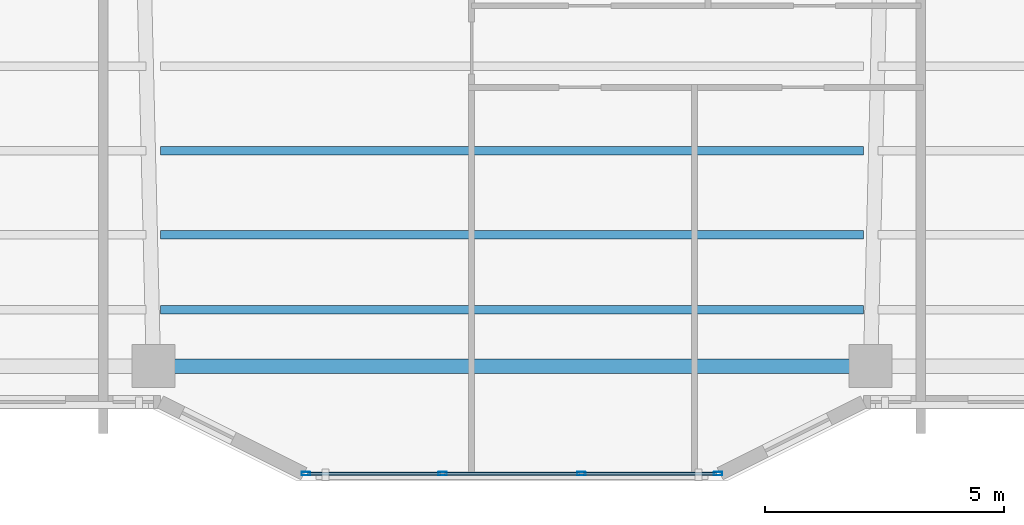
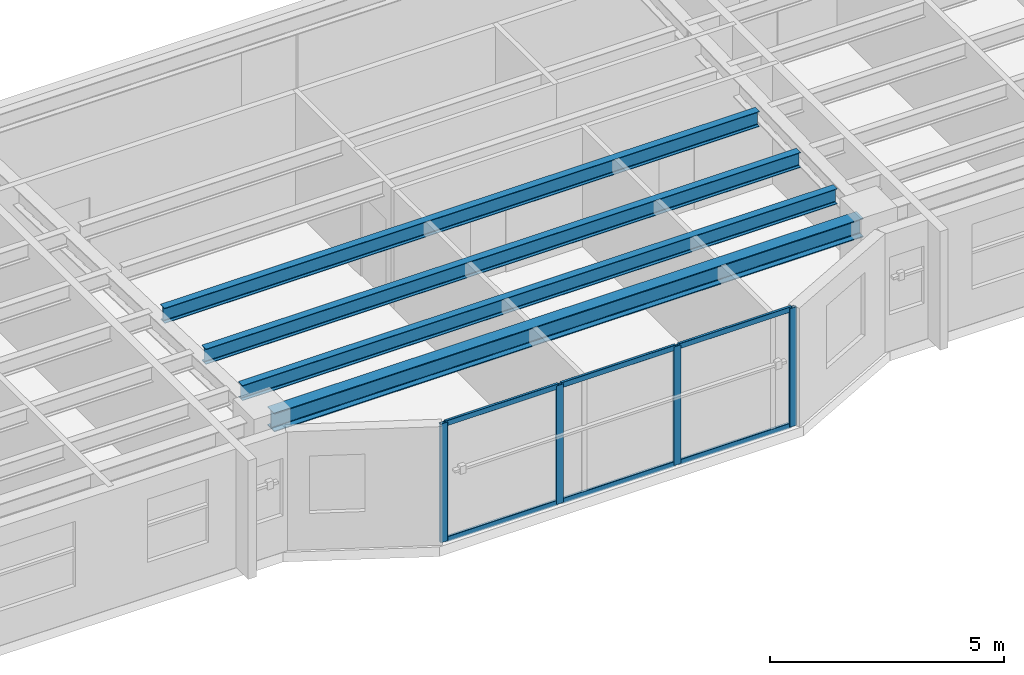
# One storey, part 2 of 15: 10 members, 4 beams, 1 element without a shape of its own.
"""IFC4 building model written with IfcOpenShell, lengths in metres."""

from ifc_helpers import new_model, si_unit, direction, frame, origin, origin_2d, place, context, subcontext, project, spatial, hollow_rectangle, i_section, extrude, material, layer, layer_set, material_profile, profile_set, type_object, element, aggregate, save


model = new_model("IFC4")

# Units and contexts
model_context = context("Model", 3, precision=1e-05, world=origin(), true_north=direction((0.0, 1.0)))
body_context = subcontext(model_context, "Body", "Model", "MODEL_VIEW")
ifc_project = project(units=[si_unit("LENGTHUNIT", "METRE"), si_unit("AREAUNIT", "SQUARE_METRE"), si_unit("VOLUMEUNIT", "CUBIC_METRE"), si_unit("PLANEANGLEUNIT", "RADIAN"), si_unit("MASSUNIT", "GRAM", prefix="KILO")], contexts=[model_context])

# Site, building, storey
site_placement = place(None, origin())
site = spatial("IfcSite", under=ifc_project, at=site_placement, CompositionType="ELEMENT")
building_placement = place(site_placement, origin())
building = spatial("IfcBuilding", under=site, at=building_placement, Name="Tarnavaz Court Tower", CompositionType="ELEMENT")
storey_placement = place(building_placement, frame((0.0, 0.0, 142.64990234375)))
storey = spatial("IfcBuildingStorey", under=building, at=storey_placement, Name="L38", CompositionType="ELEMENT", Elevation=142.64990234375)

# Beams
ifc_material_1 = material(Name="Steel S355", Category="steel")
ifc_material_profile_1 = material_profile(ifc_material_1, i_section(OverallWidth=0.179931640625, OverallDepth=0.39990234375, WebThickness=0.008544921875, FlangeThickness=0.013427734375, FilletRadius=0.02099609375, at=origin_2d()), Name="IPE 400")
ifc_profile_set_1 = profile_set([ifc_material_profile_1], Name="Steel S355")
beam_type_1 = type_object("IfcBeamType", Name="BM-J-IPE400", PredefinedType="JOIST", material=ifc_profile_set_1)
for number, where, z_axis, x_axis, name in (
    (1, (-7.35009765625, -15.89208984375, 2.900146484375), (1.0, 0.0, 0.0), (0.0, 1.0, 0.0), "L38 Beam JS3-2"),
    (2, (-7.35009765625, -17.656005859375, 2.900146484375), (1.0, 0.0, 0.0), (0.0, 1.0, 0.0), "L38 Beam JS4-2"),
    (3, (-7.35009765625, -19.22412109375, 2.900146484375), (1.0, 0.0, 0.0), (0.0, 1.0, 0.0), "L38 Beam JS5-2"),
):
    element("IfcBeam", number, at=place(storey_placement, frame(where, z_axis=z_axis, x_axis=x_axis)), inside=storey, type_object=beam_type_1, Name=name, PredefinedType="JOIST", context=body_context, shape_type="SweptSolid", body=[
        extrude(i_section(OverallWidth=0.179931640625, OverallDepth=0.39990234375, WebThickness=0.008544921875, FlangeThickness=0.013427734375, FilletRadius=0.02099609375, at=origin_2d()), origin(), (0.0, 0.0, 1.0), 14.7001953125),
    ])
ifc_material_profile_2 = material_profile(ifc_material_1, i_section(OverallWidth=0.300048828125, OverallDepth=0.489990234375, WebThickness=0.011962890625, FlangeThickness=0.02294921875, FilletRadius=0.027099609375, at=origin_2d()), Name="HEA 500")
ifc_profile_set_2 = profile_set([ifc_material_profile_2], Name="Steel S355")
beam_type_2 = type_object("IfcBeamType", Name="BM-SP-HEA500", PredefinedType="SPANDREL", material=ifc_profile_set_2)
beam_placement = place(storey_placement, frame((-7.280029296875, -20.39990234375, 2.85498046875), z_axis=(1.0, 0.0, 0.0), x_axis=(0.0, 1.0, 0.0)))
element("IfcBeam", 4, at=beam_placement, inside=storey, type_object=beam_type_2, Name="L38 Beam PR-PS-2-PS-3", PredefinedType="SPANDREL", context=body_context, shape_type="SweptSolid", body=[
    extrude(i_section(OverallWidth=0.300048828125, OverallDepth=0.489990234375, WebThickness=0.011962890625, FlangeThickness=0.02294921875, FilletRadius=0.027099609375, at=origin_2d()), origin(), (0.0, 0.0, 1.0), 14.56005859375),
])

# Curtain wall, members
ifc_material_2 = material(Name="Anodised Aluminium 6063-T6 and Solar Low-E Glazing", Category="aluminium")
ifc_layer = layer(ifc_material_2, 0.159912109375)
ifc_layer_set = layer_set([ifc_layer], Name="Anodised Aluminium 6063-T6 and Solar Low-E Glazing")
curtain_wall_type = type_object("IfcCurtainWallType", Name="CW-SYS-03", PredefinedType="NOTDEFINED", material=ifc_layer_set)
curtain_wall_placement = place(storey_placement, origin())
curtain_wall = element("IfcCurtainWall", 5, at=curtain_wall_placement, inside=storey, type_object=curtain_wall_type, Name="L38 Iwan Prow Curtain Wall 17", PredefinedType="NOTDEFINED")
ifc_material_3 = material(Name="Anodised Aluminium 6063-T6", Category="aluminium")
ifc_material_profile_3 = material_profile(ifc_material_3, hollow_rectangle(XDim=0.074951171875, YDim=0.179931640625, WallThickness=0.0048828125, InnerFilletRadius=0.0048828125, OuterFilletRadius=0.010009765625, at=origin_2d()), Name="ALU RHS 180X75X5")
ifc_profile_set_3 = profile_set([ifc_material_profile_3], Name="Anodised Aluminium 6063-T6")
member_type_1 = type_object("IfcMemberType", Name="CW-MUL-180", PredefinedType="MULLION", material=ifc_profile_set_3)
member_1_placement = place(storey_placement, frame((4.3125, -22.64990234375, 0.0), z_axis=(0.0, 0.0, 1.0), x_axis=(0.0, -1.0, 0.0)))
member_1 = element("IfcMember", 6, at=member_1_placement, type_object=member_type_1, Name="CW mullion 1", PredefinedType="MULLION", context=body_context, shape_type="SweptSolid", body=[
    extrude(hollow_rectangle(XDim=0.074951171875, YDim=0.179931640625, WallThickness=0.0048828125, InnerFilletRadius=0.0048828125, OuterFilletRadius=0.010009765625, at=origin_2d()), origin(), (0.0, 0.0, 1.0), 3.10009765625),
])
member_2_placement = place(storey_placement, frame((1.449951171875, -22.64990234375, 0.0), z_axis=(0.0, 0.0, 1.0), x_axis=(0.0, -1.0, 0.0)))
member_2 = element("IfcMember", 7, at=member_2_placement, type_object=member_type_1, Name="CW mullion 2", PredefinedType="MULLION", context=body_context, shape_type="SweptSolid", body=[
    extrude(hollow_rectangle(XDim=0.074951171875, YDim=0.179931640625, WallThickness=0.0048828125, InnerFilletRadius=0.0048828125, OuterFilletRadius=0.010009765625, at=origin_2d()), origin(), (0.0, 0.0, 1.0), 3.10009765625),
])
member_3_placement = place(storey_placement, frame((-1.449951171875, -22.64990234375, 0.0), z_axis=(0.0, 0.0, 1.0), x_axis=(0.0, -1.0, 0.0)))
member_3 = element("IfcMember", 8, at=member_3_placement, type_object=member_type_1, Name="CW mullion 3", PredefinedType="MULLION", context=body_context, shape_type="SweptSolid", body=[
    extrude(hollow_rectangle(XDim=0.074951171875, YDim=0.179931640625, WallThickness=0.0048828125, InnerFilletRadius=0.0048828125, OuterFilletRadius=0.010009765625, at=origin_2d()), origin(), (0.0, 0.0, 1.0), 3.10009765625),
])
member_4_placement = place(storey_placement, frame((-4.3125, -22.64990234375, 0.0), z_axis=(0.0, 0.0, 1.0), x_axis=(0.0, -1.0, 0.0)))
member_4 = element("IfcMember", 9, at=member_4_placement, type_object=member_type_1, Name="CW mullion 4", PredefinedType="MULLION", context=body_context, shape_type="SweptSolid", body=[
    extrude(hollow_rectangle(XDim=0.074951171875, YDim=0.179931640625, WallThickness=0.0048828125, InnerFilletRadius=0.0048828125, OuterFilletRadius=0.010009765625, at=origin_2d()), origin(), (0.0, 0.0, 1.0), 3.10009765625),
])
ifc_material_profile_4 = material_profile(ifc_material_3, hollow_rectangle(XDim=0.06494140625, YDim=0.139892578125, WallThickness=0.00390625, InnerFilletRadius=0.00390625, OuterFilletRadius=0.008056640625, at=origin_2d()), Name="ALU RHS 140X65X4")
ifc_profile_set_4 = profile_set([ifc_material_profile_4], Name="Anodised Aluminium 6063-T6")
member_type_2 = type_object("IfcMemberType", Name="CW-TRN-140", PredefinedType="USERDEFINED", material=ifc_profile_set_4)
member_5_placement = place(storey_placement, frame((4.27490234375, -22.64990234375, 0.03271484375), z_axis=(-1.0, 0.0, 0.0), x_axis=(0.0, -1.0, 0.0)))
member_5 = element("IfcMember", 10, at=member_5_placement, type_object=member_type_2, Name="CW transom 1.1", ObjectType="TRANSOM", PredefinedType="USERDEFINED", context=body_context, shape_type="SweptSolid", body=[
    extrude(hollow_rectangle(XDim=0.06494140625, YDim=0.139892578125, WallThickness=0.00390625, InnerFilletRadius=0.00390625, OuterFilletRadius=0.008056640625, at=origin_2d()), origin(), (0.0, 0.0, 1.0), 2.787353515625),
])
member_6_placement = place(storey_placement, frame((4.27490234375, -22.64990234375, 3.067626953125), z_axis=(-1.0, 0.0, 0.0), x_axis=(0.0, -1.0, 0.0)))
member_6 = element("IfcMember", 11, at=member_6_placement, type_object=member_type_2, Name="CW transom 1.2", ObjectType="TRANSOM", PredefinedType="USERDEFINED", context=body_context, shape_type="SweptSolid", body=[
    extrude(hollow_rectangle(XDim=0.06494140625, YDim=0.139892578125, WallThickness=0.00390625, InnerFilletRadius=0.00390625, OuterFilletRadius=0.008056640625, at=origin_2d()), origin(), (0.0, 0.0, 1.0), 2.787353515625),
])
member_7_placement = place(storey_placement, frame((1.41259765625, -22.64990234375, 0.03271484375), z_axis=(-1.0, 0.0, 0.0), x_axis=(0.0, -1.0, 0.0)))
member_7 = element("IfcMember", 12, at=member_7_placement, type_object=member_type_2, Name="CW transom 2.1", ObjectType="TRANSOM", PredefinedType="USERDEFINED", context=body_context, shape_type="SweptSolid", body=[
    extrude(hollow_rectangle(XDim=0.06494140625, YDim=0.139892578125, WallThickness=0.00390625, InnerFilletRadius=0.00390625, OuterFilletRadius=0.008056640625, at=origin_2d()), origin(), (0.0, 0.0, 1.0), 2.8251953125),
])
member_8_placement = place(storey_placement, frame((1.41259765625, -22.64990234375, 3.067626953125), z_axis=(-1.0, 0.0, 0.0), x_axis=(0.0, -1.0, 0.0)))
member_8 = element("IfcMember", 13, at=member_8_placement, type_object=member_type_2, Name="CW transom 2.2", ObjectType="TRANSOM", PredefinedType="USERDEFINED", context=body_context, shape_type="SweptSolid", body=[
    extrude(hollow_rectangle(XDim=0.06494140625, YDim=0.139892578125, WallThickness=0.00390625, InnerFilletRadius=0.00390625, OuterFilletRadius=0.008056640625, at=origin_2d()), origin(), (0.0, 0.0, 1.0), 2.8251953125),
])
member_9_placement = place(storey_placement, frame((-1.487548828125, -22.64990234375, 0.03271484375), z_axis=(-1.0, 0.0, 0.0), x_axis=(0.0, -1.0, 0.0)))
member_9 = element("IfcMember", 14, at=member_9_placement, type_object=member_type_2, Name="CW transom 3.1", ObjectType="TRANSOM", PredefinedType="USERDEFINED", context=body_context, shape_type="SweptSolid", body=[
    extrude(hollow_rectangle(XDim=0.06494140625, YDim=0.139892578125, WallThickness=0.00390625, InnerFilletRadius=0.00390625, OuterFilletRadius=0.008056640625, at=origin_2d()), origin(), (0.0, 0.0, 1.0), 2.787353515625),
])
member_10_placement = place(storey_placement, frame((-1.487548828125, -22.64990234375, 3.067626953125), z_axis=(-1.0, 0.0, 0.0), x_axis=(0.0, -1.0, 0.0)))
member_10 = element("IfcMember", 15, at=member_10_placement, type_object=member_type_2, Name="CW transom 3.2", ObjectType="TRANSOM", PredefinedType="USERDEFINED", context=body_context, shape_type="SweptSolid", body=[
    extrude(hollow_rectangle(XDim=0.06494140625, YDim=0.139892578125, WallThickness=0.00390625, InnerFilletRadius=0.00390625, OuterFilletRadius=0.008056640625, at=origin_2d()), origin(), (0.0, 0.0, 1.0), 2.787353515625),
])
aggregate(curtain_wall, [member_1, member_2, member_3, member_4, member_5, member_6, member_7, member_8, member_9, member_10])

save(model, "model.ifc")
